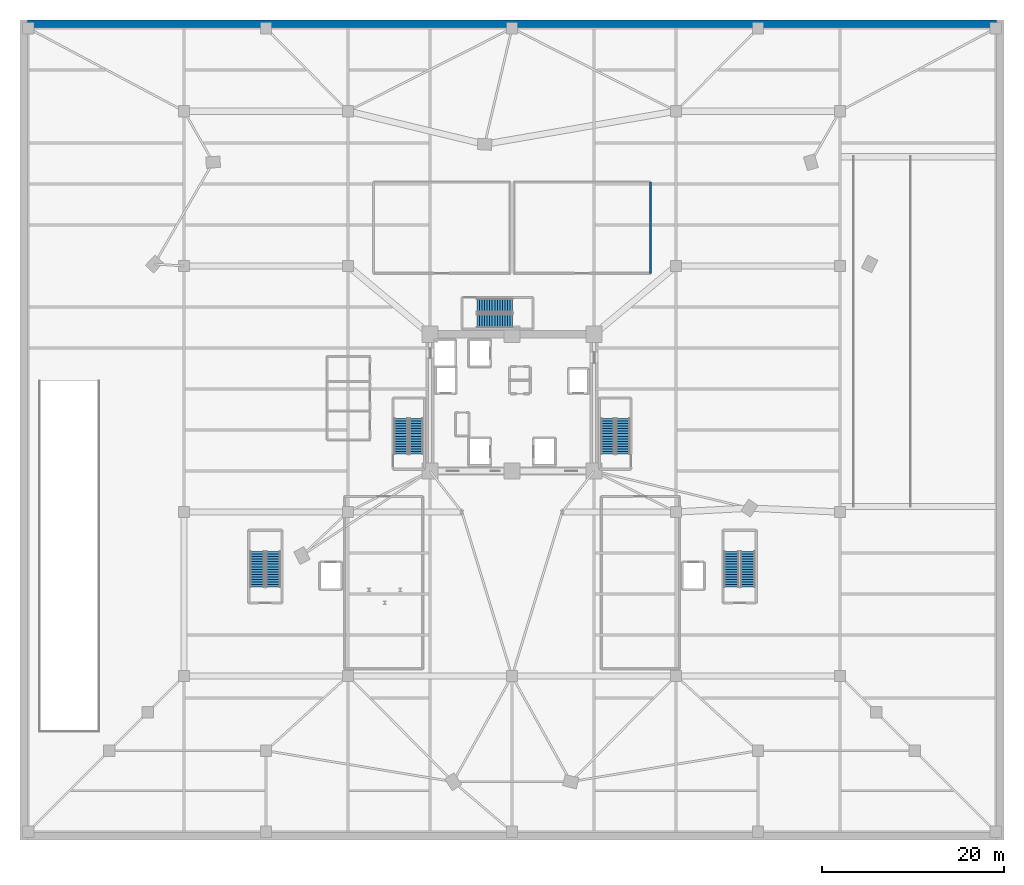
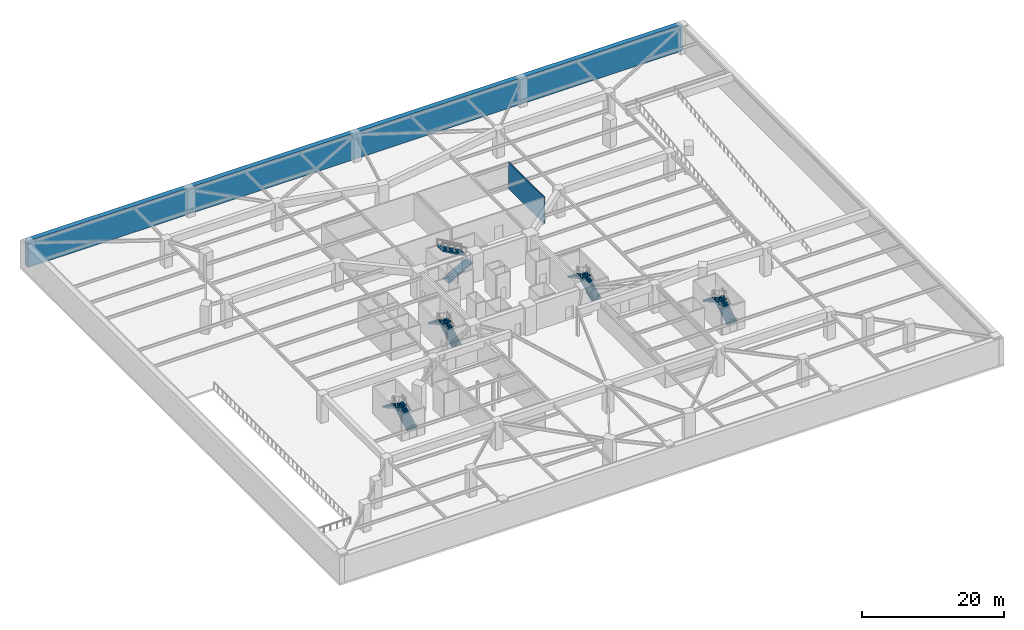
# One storey, part 15 of 20: 10 stair flights, 2 walls, 5 elements without a shape of their own.
"""IFC4 building model written with IfcOpenShell, lengths in metres."""

from ifc_helpers import new_model, si_unit, direction, frame, frame_2d, origin, place, context, subcontext, project, spatial, polyline, rectangle, outline, extrude, material, layer, layer_set, type_object, element, aggregate, save


model = new_model("IFC4")

# Units and contexts
model_context = context("Model", 3, precision=1e-05, world=origin(), true_north=direction((0.0, 1.0)))
body_context = subcontext(model_context, "Body", "Model", "MODEL_VIEW")
ifc_project = project(units=[si_unit("LENGTHUNIT", "METRE"), si_unit("AREAUNIT", "SQUARE_METRE"), si_unit("VOLUMEUNIT", "CUBIC_METRE"), si_unit("PLANEANGLEUNIT", "RADIAN"), si_unit("MASSUNIT", "GRAM", prefix="KILO")], contexts=[model_context])

# Site, building, storey
site_placement = place(None, origin())
site = spatial("IfcSite", under=ifc_project, at=site_placement, CompositionType="ELEMENT")
building_placement = place(site_placement, origin())
building = spatial("IfcBuilding", under=site, at=building_placement, Name="Liaohun Quay Tower", CompositionType="ELEMENT")
storey_placement = place(building_placement, frame((0.0, 0.0, -4.800048828125)))
storey = spatial("IfcBuildingStorey", under=building, at=storey_placement, Name="B1", CompositionType="ELEMENT", Elevation=-4.800048828125)

# Walls
ifc_material_1 = material(Name="Autoclaved aerated concrete blockwork", Category="masonry")
ifc_layer_1 = layer(ifc_material_1, 0.179931640625, Name="Autoclaved aerated concrete blockwork", Category="masonry")
ifc_layer_set_1 = layer_set([ifc_layer_1], Name="Autoclaved aerated concrete blockwork")
wall_type_1 = type_object("IfcWallType", Name="WAL-PRT-COR", PredefinedType="PARTITIONING", material=ifc_layer_set_1)
wall_1_placement = place(storey_placement, frame((75.199951171875, 68.199951171875, 0.0), z_axis=(0.0, 0.0, 1.0), x_axis=(0.0, 1.0, 0.0)))
element("IfcWall", 1, at=wall_1_placement, inside=storey, type_object=wall_type_1, Name="B1 Interior Partition Wall 033", PredefinedType="PARTITIONING", context=body_context, shape_type="SweptSolid", body=[
    extrude(rectangle(XDim=10.0, YDim=0.179931640625, at=frame_2d((5.0, 0.0))), origin(), (0.0, 0.0, 1.0), 4.550048828125),
])
ifc_material_2 = material(Name="Concrete C50", Category="concrete")
ifc_layer_2 = layer(ifc_material_2, 0.800048828125, Name="Concrete C50", Category="concrete")
ifc_layer_set_2 = layer_set([ifc_layer_2], Name="Concrete C50")
wall_type_2 = type_object("IfcWallType", Name="WAL-RET-B1", PredefinedType="USERDEFINED", material=ifc_layer_set_2)
wall_2_placement = place(storey_placement, frame((6.800048828125, 95.60009765625, 0.0), z_axis=(0.0, 0.0, 1.0), x_axis=(1.0, 0.0, 0.0)))
element("IfcWall", 2, at=wall_2_placement, inside=storey, type_object=wall_type_2, Name="B1 Waterproof Retaining Wall N", ObjectType="RETAINING WALL", PredefinedType="USERDEFINED", context=body_context, shape_type="SweptSolid", body=[
    extrude(rectangle(XDim=106.39990234375, YDim=0.800048828125, at=frame_2d((53.199951171875, 0.0))), origin(), (0.0, 0.0, 1.0), 4.550048828125),
])

# Stair, stair flights
ifc_material_3 = material(Name="Concrete C45", Category="concrete")
stair_type_1 = type_object("IfcStairType", Name="STR-CORE-CRN", PredefinedType="HALF_TURN_STAIR", material=ifc_material_3)
stair_1_placement = place(storey_placement, origin())
stair_1 = element("IfcStair", 3, at=stair_1_placement, inside=storey, type_object=stair_type_1, Name="B1 Smokeproof Core Exit Stair ST-1", PredefinedType="HALF_TURN_STAIR")
stair_flight_type_1 = type_object("IfcStairFlightType", Name="FLT-CORE-155", PredefinedType="STRAIGHT", material=ifc_material_3)
stair_flight_1_placement = place(storey_placement, frame((49.5048828125, 48.35009765625, 0.0), z_axis=(0.0, 0.0, 1.0), x_axis=(0.0, 1.0, 0.0)))
stair_flight_1 = element("IfcStairFlight", 4, at=stair_flight_1_placement, type_object=stair_flight_type_1, Name="ST-1 flight 1", NumberOfRisers=15, NumberOfTreads=14, PredefinedType="STRAIGHT", RiserHeight=0.16, TreadLength=0.28, context=body_context, shape_type="SweptSolid", body=[
    extrude(outline(polyline([(0.0, 0.0), (0.0, 0.159912109375), (0.280029296875, 0.159912109375), (0.280029296875, 0.320068359375), (0.56005859375, 0.320068359375), (0.56005859375, 0.47998046875), (0.840087890625, 0.47998046875), (0.840087890625, 0.639892578125), (1.1201171875, 0.639892578125), (1.1201171875, 0.800048828125), (1.39990234375, 0.800048828125), (1.39990234375, 0.9599609375), (1.679931640625, 0.9599609375), (1.679931640625, 1.1201171875), (1.9599609375, 1.1201171875), (1.9599609375, 1.280029296875), (2.239990234375, 1.280029296875), (2.239990234375, 1.43994140625), (2.52001953125, 1.43994140625), (2.52001953125, 1.60009765625), (2.800048828125, 1.60009765625), (2.800048828125, 1.760009765625), (3.080078125, 1.760009765625), (3.080078125, 1.919921875), (3.360107421875, 1.919921875), (3.360107421875, 2.080078125), (3.639892578125, 2.080078125), (3.639892578125, 2.239990234375), (3.919921875, 2.239990234375), (3.919921875, 2.39990234375), (3.919921875, 2.0673828125), (0.30224609375, 0.0), (0.0, 0.0)])), frame((0.0, 0.77490234375, 0.0), z_axis=(0.0, -1.0, 0.0), x_axis=(1.0, 0.0, 0.0)), (0.0, 0.0, 1.0), 1.550048828125),
])
stair_flight_2_placement = place(storey_placement, frame((47.81494140625, 52.27001953125, 2.400146484375), z_axis=(0.0, 0.0, 1.0), x_axis=(0.0, -1.0, 0.0)))
stair_flight_2 = element("IfcStairFlight", 5, at=stair_flight_2_placement, type_object=stair_flight_type_1, Name="ST-1 flight 2", NumberOfRisers=15, NumberOfTreads=14, PredefinedType="STRAIGHT", RiserHeight=0.16, TreadLength=0.28, context=body_context, shape_type="SweptSolid", body=[
    extrude(outline(polyline([(0.0, 0.0), (0.0, 0.159912109375), (0.280029296875, 0.159912109375), (0.280029296875, 0.320068359375), (0.56005859375, 0.320068359375), (0.56005859375, 0.47998046875), (0.840087890625, 0.47998046875), (0.840087890625, 0.639892578125), (1.1201171875, 0.639892578125), (1.1201171875, 0.800048828125), (1.39990234375, 0.800048828125), (1.39990234375, 0.9599609375), (1.679931640625, 0.9599609375), (1.679931640625, 1.1201171875), (1.9599609375, 1.1201171875), (1.9599609375, 1.280029296875), (2.239990234375, 1.280029296875), (2.239990234375, 1.43994140625), (2.52001953125, 1.43994140625), (2.52001953125, 1.60009765625), (2.800048828125, 1.60009765625), (2.800048828125, 1.760009765625), (3.080078125, 1.760009765625), (3.080078125, 1.919921875), (3.360107421875, 1.919921875), (3.360107421875, 2.080078125), (3.639892578125, 2.080078125), (3.639892578125, 2.239990234375), (3.919921875, 2.239990234375), (3.919921875, 2.39990234375), (3.919921875, 2.0673828125), (0.30224609375, 0.0), (0.0, 0.0)])), frame((0.0, 0.77490234375, 0.0), z_axis=(0.0, -1.0, 0.0), x_axis=(1.0, 0.0, 0.0)), (0.0, 0.0, 1.0), 1.550048828125),
])
aggregate(stair_1, [stair_flight_1, stair_flight_2])

stair_2_placement = place(storey_placement, origin())
stair_2 = element("IfcStair", 6, at=stair_2_placement, inside=storey, type_object=stair_type_1, Name="B1 Smokeproof Core Exit Stair ST-2", PredefinedType="HALF_TURN_STAIR")
stair_flight_3_placement = place(storey_placement, frame((72.18505859375, 48.35009765625, 0.0), z_axis=(0.0, 0.0, 1.0), x_axis=(0.0, 1.0, 0.0)))
stair_flight_3 = element("IfcStairFlight", 7, at=stair_flight_3_placement, type_object=stair_flight_type_1, Name="ST-2 flight 1", NumberOfRisers=15, NumberOfTreads=14, PredefinedType="STRAIGHT", RiserHeight=0.16, TreadLength=0.28, context=body_context, shape_type="SweptSolid", body=[
    extrude(outline(polyline([(0.0, 0.0), (0.0, 0.159912109375), (0.280029296875, 0.159912109375), (0.280029296875, 0.320068359375), (0.56005859375, 0.320068359375), (0.56005859375, 0.47998046875), (0.840087890625, 0.47998046875), (0.840087890625, 0.639892578125), (1.1201171875, 0.639892578125), (1.1201171875, 0.800048828125), (1.39990234375, 0.800048828125), (1.39990234375, 0.9599609375), (1.679931640625, 0.9599609375), (1.679931640625, 1.1201171875), (1.9599609375, 1.1201171875), (1.9599609375, 1.280029296875), (2.239990234375, 1.280029296875), (2.239990234375, 1.43994140625), (2.52001953125, 1.43994140625), (2.52001953125, 1.60009765625), (2.800048828125, 1.60009765625), (2.800048828125, 1.760009765625), (3.080078125, 1.760009765625), (3.080078125, 1.919921875), (3.360107421875, 1.919921875), (3.360107421875, 2.080078125), (3.639892578125, 2.080078125), (3.639892578125, 2.239990234375), (3.919921875, 2.239990234375), (3.919921875, 2.39990234375), (3.919921875, 2.0673828125), (0.30224609375, 0.0), (0.0, 0.0)])), frame((0.0, 0.77490234375, 0.0), z_axis=(0.0, -1.0, 0.0), x_axis=(1.0, 0.0, 0.0)), (0.0, 0.0, 1.0), 1.550048828125),
])
stair_flight_4_placement = place(storey_placement, frame((70.4951171875, 52.27001953125, 2.400146484375), z_axis=(0.0, 0.0, 1.0), x_axis=(0.0, -1.0, 0.0)))
stair_flight_4 = element("IfcStairFlight", 8, at=stair_flight_4_placement, type_object=stair_flight_type_1, Name="ST-2 flight 2", NumberOfRisers=15, NumberOfTreads=14, PredefinedType="STRAIGHT", RiserHeight=0.16, TreadLength=0.28, context=body_context, shape_type="SweptSolid", body=[
    extrude(outline(polyline([(0.0, 0.0), (0.0, 0.159912109375), (0.280029296875, 0.159912109375), (0.280029296875, 0.320068359375), (0.56005859375, 0.320068359375), (0.56005859375, 0.47998046875), (0.840087890625, 0.47998046875), (0.840087890625, 0.639892578125), (1.1201171875, 0.639892578125), (1.1201171875, 0.800048828125), (1.39990234375, 0.800048828125), (1.39990234375, 0.9599609375), (1.679931640625, 0.9599609375), (1.679931640625, 1.1201171875), (1.9599609375, 1.1201171875), (1.9599609375, 1.280029296875), (2.239990234375, 1.280029296875), (2.239990234375, 1.43994140625), (2.52001953125, 1.43994140625), (2.52001953125, 1.60009765625), (2.800048828125, 1.60009765625), (2.800048828125, 1.760009765625), (3.080078125, 1.760009765625), (3.080078125, 1.919921875), (3.360107421875, 1.919921875), (3.360107421875, 2.080078125), (3.639892578125, 2.080078125), (3.639892578125, 2.239990234375), (3.919921875, 2.239990234375), (3.919921875, 2.39990234375), (3.919921875, 2.0673828125), (0.30224609375, 0.0), (0.0, 0.0)])), frame((0.0, 0.77490234375, 0.0), z_axis=(0.0, -1.0, 0.0), x_axis=(1.0, 0.0, 0.0)), (0.0, 0.0, 1.0), 1.550048828125),
])
aggregate(stair_2, [stair_flight_3, stair_flight_4])

stair_3_placement = place(storey_placement, origin())
stair_3 = element("IfcStair", 9, at=stair_3_placement, inside=storey, type_object=stair_type_1, Name="B1 Smokeproof Core Exit Stair ST-3", PredefinedType="HALF_TURN_STAIR")
stair_flight_5_placement = place(storey_placement, frame((56.14990234375, 62.97509765625, 0.0), z_axis=(0.0, 0.0, 1.0), x_axis=(1.0, 0.0, 0.0)))
stair_flight_5 = element("IfcStairFlight", 10, at=stair_flight_5_placement, type_object=stair_flight_type_1, Name="ST-3 flight 1", NumberOfRisers=15, NumberOfTreads=14, PredefinedType="STRAIGHT", RiserHeight=0.16, TreadLength=0.28, context=body_context, shape_type="SweptSolid", body=[
    extrude(outline(polyline([(0.0, 0.0), (0.0, 0.159912109375), (0.280029296875, 0.159912109375), (0.280029296875, 0.320068359375), (0.56005859375, 0.320068359375), (0.56005859375, 0.47998046875), (0.840087890625, 0.47998046875), (0.840087890625, 0.639892578125), (1.1201171875, 0.639892578125), (1.1201171875, 0.800048828125), (1.39990234375, 0.800048828125), (1.39990234375, 0.9599609375), (1.679931640625, 0.9599609375), (1.679931640625, 1.1201171875), (1.9599609375, 1.1201171875), (1.9599609375, 1.280029296875), (2.239990234375, 1.280029296875), (2.239990234375, 1.43994140625), (2.52001953125, 1.43994140625), (2.52001953125, 1.60009765625), (2.800048828125, 1.60009765625), (2.800048828125, 1.760009765625), (3.080078125, 1.760009765625), (3.080078125, 1.919921875), (3.360107421875, 1.919921875), (3.360107421875, 2.080078125), (3.639892578125, 2.080078125), (3.639892578125, 2.239990234375), (3.919921875, 2.239990234375), (3.919921875, 2.39990234375), (3.919921875, 2.0673828125), (0.30224609375, 0.0), (0.0, 0.0)])), frame((0.0, 0.77490234375, 0.0), z_axis=(0.0, -1.0, 0.0), x_axis=(1.0, 0.0, 0.0)), (0.0, 0.0, 1.0), 1.550048828125),
])
stair_flight_6_placement = place(storey_placement, frame((60.070068359375, 64.6650390625, 2.400146484375), z_axis=(0.0, 0.0, 1.0), x_axis=(-1.0, 0.0, 0.0)))
stair_flight_6 = element("IfcStairFlight", 11, at=stair_flight_6_placement, type_object=stair_flight_type_1, Name="ST-3 flight 2", NumberOfRisers=15, NumberOfTreads=14, PredefinedType="STRAIGHT", RiserHeight=0.16, TreadLength=0.28, context=body_context, shape_type="SweptSolid", body=[
    extrude(outline(polyline([(0.0, 0.0), (0.0, 0.159912109375), (0.280029296875, 0.159912109375), (0.280029296875, 0.320068359375), (0.56005859375, 0.320068359375), (0.56005859375, 0.47998046875), (0.840087890625, 0.47998046875), (0.840087890625, 0.639892578125), (1.1201171875, 0.639892578125), (1.1201171875, 0.800048828125), (1.39990234375, 0.800048828125), (1.39990234375, 0.9599609375), (1.679931640625, 0.9599609375), (1.679931640625, 1.1201171875), (1.9599609375, 1.1201171875), (1.9599609375, 1.280029296875), (2.239990234375, 1.280029296875), (2.239990234375, 1.43994140625), (2.52001953125, 1.43994140625), (2.52001953125, 1.60009765625), (2.800048828125, 1.60009765625), (2.800048828125, 1.760009765625), (3.080078125, 1.760009765625), (3.080078125, 1.919921875), (3.360107421875, 1.919921875), (3.360107421875, 2.080078125), (3.639892578125, 2.080078125), (3.639892578125, 2.239990234375), (3.919921875, 2.239990234375), (3.919921875, 2.39990234375), (3.919921875, 2.0673828125), (0.30224609375, 0.0), (0.0, 0.0)])), frame((0.0, 0.77490234375, 0.0), z_axis=(0.0, -1.0, 0.0), x_axis=(1.0, 0.0, 0.0)), (0.0, 0.0, 1.0), 1.550048828125),
])
aggregate(stair_3, [stair_flight_5, stair_flight_6])

stair_type_2 = type_object("IfcStairType", Name="STR-POD-EXIT", PredefinedType="TWO_STRAIGHT_RUN_STAIR", material=ifc_material_3)
stair_4_placement = place(storey_placement, origin())
stair_4 = element("IfcStair", 12, at=stair_4_placement, inside=storey, type_object=stair_type_2, Name="B1 Podium Smokeproof Exit Stair ST-P1", PredefinedType="TWO_STRAIGHT_RUN_STAIR")
stair_flight_type_2 = type_object("IfcStairFlightType", Name="FLT-POD-165", PredefinedType="STRAIGHT", material=ifc_material_3)
stair_flight_7_placement = place(storey_placement, frame((33.81494140625, 33.75, 0.0), z_axis=(0.0, 0.0, 1.0), x_axis=(0.0, 1.0, 0.0)))
stair_flight_7 = element("IfcStairFlight", 13, at=stair_flight_7_placement, type_object=stair_flight_type_2, Name="ST-P1 flight 1", NumberOfRisers=15, NumberOfTreads=14, PredefinedType="STRAIGHT", RiserHeight=0.16, TreadLength=0.28, context=body_context, shape_type="SweptSolid", body=[
    extrude(outline(polyline([(0.0, 0.0), (0.0, 0.159912109375), (0.280029296875, 0.159912109375), (0.280029296875, 0.320068359375), (0.56005859375, 0.320068359375), (0.56005859375, 0.47998046875), (0.840087890625, 0.47998046875), (0.840087890625, 0.639892578125), (1.1201171875, 0.639892578125), (1.1201171875, 0.800048828125), (1.39990234375, 0.800048828125), (1.39990234375, 0.9599609375), (1.679931640625, 0.9599609375), (1.679931640625, 1.1201171875), (1.9599609375, 1.1201171875), (1.9599609375, 1.280029296875), (2.239990234375, 1.280029296875), (2.239990234375, 1.43994140625), (2.52001953125, 1.43994140625), (2.52001953125, 1.60009765625), (2.800048828125, 1.60009765625), (2.800048828125, 1.760009765625), (3.080078125, 1.760009765625), (3.080078125, 1.919921875), (3.360107421875, 1.919921875), (3.360107421875, 2.080078125), (3.639892578125, 2.080078125), (3.639892578125, 2.239990234375), (3.919921875, 2.239990234375), (3.919921875, 2.39990234375), (3.919921875, 2.0673828125), (0.30224609375, 0.0), (0.0, 0.0)])), frame((0.0, 0.824951171875, 0.0), z_axis=(0.0, -1.0, 0.0), x_axis=(1.0, 0.0, 0.0)), (0.0, 0.0, 1.0), 1.64990234375),
])
stair_flight_8_placement = place(storey_placement, frame((32.02490234375, 37.669921875, 2.400146484375), z_axis=(0.0, 0.0, 1.0), x_axis=(0.0, -1.0, 0.0)))
stair_flight_8 = element("IfcStairFlight", 14, at=stair_flight_8_placement, type_object=stair_flight_type_2, Name="ST-P1 flight 2", NumberOfRisers=15, NumberOfTreads=14, PredefinedType="STRAIGHT", RiserHeight=0.16, TreadLength=0.28, context=body_context, shape_type="SweptSolid", body=[
    extrude(outline(polyline([(0.0, 0.0), (0.0, 0.159912109375), (0.280029296875, 0.159912109375), (0.280029296875, 0.320068359375), (0.56005859375, 0.320068359375), (0.56005859375, 0.47998046875), (0.840087890625, 0.47998046875), (0.840087890625, 0.639892578125), (1.1201171875, 0.639892578125), (1.1201171875, 0.800048828125), (1.39990234375, 0.800048828125), (1.39990234375, 0.9599609375), (1.679931640625, 0.9599609375), (1.679931640625, 1.1201171875), (1.9599609375, 1.1201171875), (1.9599609375, 1.280029296875), (2.239990234375, 1.280029296875), (2.239990234375, 1.43994140625), (2.52001953125, 1.43994140625), (2.52001953125, 1.60009765625), (2.800048828125, 1.60009765625), (2.800048828125, 1.760009765625), (3.080078125, 1.760009765625), (3.080078125, 1.919921875), (3.360107421875, 1.919921875), (3.360107421875, 2.080078125), (3.639892578125, 2.080078125), (3.639892578125, 2.239990234375), (3.919921875, 2.239990234375), (3.919921875, 2.39990234375), (3.919921875, 2.0673828125), (0.30224609375, 0.0), (0.0, 0.0)])), frame((0.0, 0.824951171875, 0.0), z_axis=(0.0, -1.0, 0.0), x_axis=(1.0, 0.0, 0.0)), (0.0, 0.0, 1.0), 1.64990234375),
])
aggregate(stair_4, [stair_flight_7, stair_flight_8])

stair_5_placement = place(storey_placement, origin())
stair_5 = element("IfcStair", 15, at=stair_5_placement, inside=storey, type_object=stair_type_2, Name="B1 Podium Smokeproof Exit Stair ST-P2", PredefinedType="TWO_STRAIGHT_RUN_STAIR")
stair_flight_9_placement = place(storey_placement, frame((85.875, 33.75, 0.0), z_axis=(0.0, 0.0, 1.0), x_axis=(0.0, 1.0, 0.0)))
stair_flight_9 = element("IfcStairFlight", 16, at=stair_flight_9_placement, type_object=stair_flight_type_2, Name="ST-P2 flight 1", NumberOfRisers=15, NumberOfTreads=14, PredefinedType="STRAIGHT", RiserHeight=0.16, TreadLength=0.28, context=body_context, shape_type="SweptSolid", body=[
    extrude(outline(polyline([(0.0, 0.0), (0.0, 0.159912109375), (0.280029296875, 0.159912109375), (0.280029296875, 0.320068359375), (0.56005859375, 0.320068359375), (0.56005859375, 0.47998046875), (0.840087890625, 0.47998046875), (0.840087890625, 0.639892578125), (1.1201171875, 0.639892578125), (1.1201171875, 0.800048828125), (1.39990234375, 0.800048828125), (1.39990234375, 0.9599609375), (1.679931640625, 0.9599609375), (1.679931640625, 1.1201171875), (1.9599609375, 1.1201171875), (1.9599609375, 1.280029296875), (2.239990234375, 1.280029296875), (2.239990234375, 1.43994140625), (2.52001953125, 1.43994140625), (2.52001953125, 1.60009765625), (2.800048828125, 1.60009765625), (2.800048828125, 1.760009765625), (3.080078125, 1.760009765625), (3.080078125, 1.919921875), (3.360107421875, 1.919921875), (3.360107421875, 2.080078125), (3.639892578125, 2.080078125), (3.639892578125, 2.239990234375), (3.919921875, 2.239990234375), (3.919921875, 2.39990234375), (3.919921875, 2.0673828125), (0.30224609375, 0.0), (0.0, 0.0)])), frame((0.0, 0.824951171875, 0.0), z_axis=(0.0, -1.0, 0.0), x_axis=(1.0, 0.0, 0.0)), (0.0, 0.0, 1.0), 1.64990234375),
])
stair_flight_10_placement = place(storey_placement, frame((84.0849609375, 37.669921875, 2.400146484375), z_axis=(0.0, 0.0, 1.0), x_axis=(0.0, -1.0, 0.0)))
stair_flight_10 = element("IfcStairFlight", 17, at=stair_flight_10_placement, type_object=stair_flight_type_2, Name="ST-P2 flight 2", NumberOfRisers=15, NumberOfTreads=14, PredefinedType="STRAIGHT", RiserHeight=0.16, TreadLength=0.28, context=body_context, shape_type="SweptSolid", body=[
    extrude(outline(polyline([(0.0, 0.0), (0.0, 0.159912109375), (0.280029296875, 0.159912109375), (0.280029296875, 0.320068359375), (0.56005859375, 0.320068359375), (0.56005859375, 0.47998046875), (0.840087890625, 0.47998046875), (0.840087890625, 0.639892578125), (1.1201171875, 0.639892578125), (1.1201171875, 0.800048828125), (1.39990234375, 0.800048828125), (1.39990234375, 0.9599609375), (1.679931640625, 0.9599609375), (1.679931640625, 1.1201171875), (1.9599609375, 1.1201171875), (1.9599609375, 1.280029296875), (2.239990234375, 1.280029296875), (2.239990234375, 1.43994140625), (2.52001953125, 1.43994140625), (2.52001953125, 1.60009765625), (2.800048828125, 1.60009765625), (2.800048828125, 1.760009765625), (3.080078125, 1.760009765625), (3.080078125, 1.919921875), (3.360107421875, 1.919921875), (3.360107421875, 2.080078125), (3.639892578125, 2.080078125), (3.639892578125, 2.239990234375), (3.919921875, 2.239990234375), (3.919921875, 2.39990234375), (3.919921875, 2.0673828125), (0.30224609375, 0.0), (0.0, 0.0)])), frame((0.0, 0.824951171875, 0.0), z_axis=(0.0, -1.0, 0.0), x_axis=(1.0, 0.0, 0.0)), (0.0, 0.0, 1.0), 1.64990234375),
])
aggregate(stair_5, [stair_flight_9, stair_flight_10])

save(model, "model.ifc")
